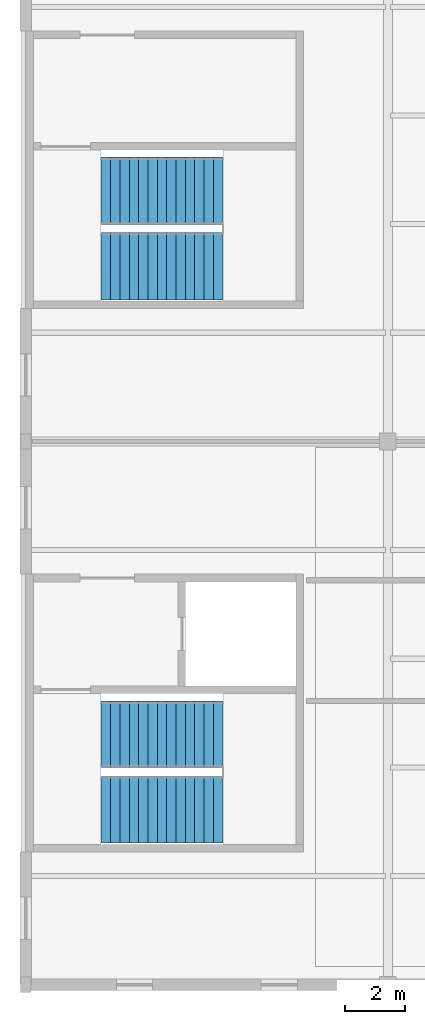
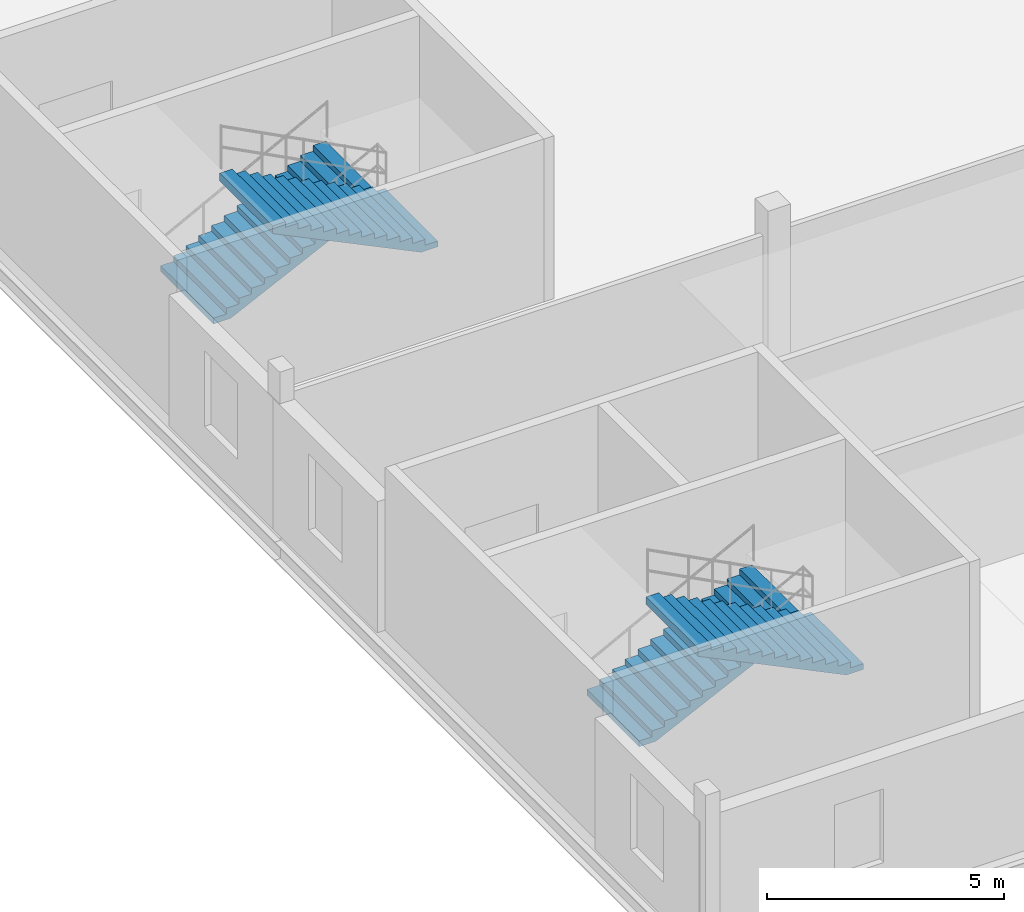
# One storey, part 84 of 86: 4 stair flights, 2 elements without a shape of their own.
"""IFC4 building model written with IfcOpenShell, lengths in metres."""

from ifc_helpers import new_model, si_unit, direction, frame, origin, place, context, subcontext, project, spatial, polyline, outline, extrude, material, type_object, element, aggregate, save


model = new_model("IFC4")

# Units and contexts
model_context = context("Model", 3, precision=1e-05, world=origin(), true_north=direction((0.0, 1.0)))
body_context = subcontext(model_context, "Body", "Model", "MODEL_VIEW")
ifc_project = project(units=[si_unit("LENGTHUNIT", "METRE"), si_unit("AREAUNIT", "SQUARE_METRE"), si_unit("VOLUMEUNIT", "CUBIC_METRE"), si_unit("PLANEANGLEUNIT", "RADIAN"), si_unit("MASSUNIT", "GRAM", prefix="KILO")], contexts=[model_context])

# Site, building, storey
site_placement = place(None, origin())
site = spatial("IfcSite", under=ifc_project, at=site_placement, CompositionType="ELEMENT")
building_placement = place(site_placement, origin())
building = spatial("IfcBuilding", under=site, at=building_placement, Name="Zilviju Railside Exhibition Hall", CompositionType="ELEMENT")
storey_placement = place(building_placement, frame((0.0, 0.0, 12.60009765625)))
storey = spatial("IfcBuildingStorey", under=building, at=storey_placement, Name="L04", CompositionType="ELEMENT", Elevation=12.60009765625)

# Stair, stair flights
ifc_material = material(Name="Concrete C35/45", Category="concrete")
stair_type_1 = type_object("IfcStairType", Name="STAIR-ST-A", PredefinedType="HALF_TURN_STAIR", material=ifc_material)
stair_1_placement = place(storey_placement, origin())
stair_1 = element("IfcStair", 1, at=stair_1_placement, inside=storey, type_object=stair_type_1, Name="Core C16 Organisers Wing North Exit Stair L04", PredefinedType="HALF_TURN_STAIR")
stair_flight_type_1 = type_object("IfcStairFlightType", Name="FLIGHT-ST-A", PredefinedType="STRAIGHT", material=ifc_material)
stair_flight_1_placement = place(storey_placement, frame((2.5, 110.300048828125, 0.0), z_axis=(0.0, 0.0, 1.0), x_axis=(1.0, 0.0, 0.0)))
stair_flight_1 = element("IfcStairFlight", 2, at=stair_flight_1_placement, type_object=stair_flight_type_1, Name="ST-16 flight 1", NumberOfRisers=14, NumberOfTreads=13, PredefinedType="STRAIGHT", RiserHeight=0.15, TreadLength=0.31, context=body_context, shape_type="SweptSolid", body=[
    extrude(outline(polyline([(0.0, 0.0), (0.0, 0.14990234375), (0.31005859375, 0.14990234375), (0.31005859375, 0.300048828125), (0.6201171875, 0.300048828125), (0.6201171875, 0.449951171875), (0.929931640625, 0.449951171875), (0.929931640625, 0.60009765625), (1.239990234375, 0.60009765625), (1.239990234375, 0.75), (1.550048828125, 0.75), (1.550048828125, 0.89990234375), (1.860107421875, 0.89990234375), (1.860107421875, 1.050048828125), (2.169921875, 1.050048828125), (2.169921875, 1.199951171875), (2.47998046875, 1.199951171875), (2.47998046875, 1.35009765625), (2.7900390625, 1.35009765625), (2.7900390625, 1.5), (3.10009765625, 1.5), (3.10009765625, 1.64990234375), (3.409912109375, 1.64990234375), (3.409912109375, 1.800048828125), (3.719970703125, 1.800048828125), (3.719970703125, 1.949951171875), (4.030029296875, 1.949951171875), (4.030029296875, 2.10009765625), (4.030029296875, 1.75), (0.4130859375, 0.0), (0.0, 0.0)])), frame((0.0, 1.1201171875, 0.0), z_axis=(0.0, -1.0, 0.0), x_axis=(1.0, 0.0, 0.0)), (0.0, 0.0, 1.0), 2.239990234375),
])
stair_flight_2_placement = place(storey_placement, frame((6.530029296875, 107.800048828125, 2.099853515625), z_axis=(0.0, 0.0, 1.0), x_axis=(-1.0, 0.0, 0.0)))
stair_flight_2 = element("IfcStairFlight", 3, at=stair_flight_2_placement, type_object=stair_flight_type_1, Name="ST-16 flight 2", NumberOfRisers=14, NumberOfTreads=13, PredefinedType="STRAIGHT", RiserHeight=0.15, TreadLength=0.31, context=body_context, shape_type="SweptSolid", body=[
    extrude(outline(polyline([(0.0, 0.0), (0.0, 0.14990234375), (0.31005859375, 0.14990234375), (0.31005859375, 0.300048828125), (0.6201171875, 0.300048828125), (0.6201171875, 0.449951171875), (0.929931640625, 0.449951171875), (0.929931640625, 0.60009765625), (1.239990234375, 0.60009765625), (1.239990234375, 0.75), (1.550048828125, 0.75), (1.550048828125, 0.89990234375), (1.860107421875, 0.89990234375), (1.860107421875, 1.050048828125), (2.169921875, 1.050048828125), (2.169921875, 1.199951171875), (2.47998046875, 1.199951171875), (2.47998046875, 1.35009765625), (2.7900390625, 1.35009765625), (2.7900390625, 1.5), (3.10009765625, 1.5), (3.10009765625, 1.64990234375), (3.409912109375, 1.64990234375), (3.409912109375, 1.800048828125), (3.719970703125, 1.800048828125), (3.719970703125, 1.949951171875), (4.030029296875, 1.949951171875), (4.030029296875, 2.10009765625), (4.030029296875, 1.75), (0.4130859375, 0.0), (0.0, 0.0)])), frame((0.0, 1.1201171875, 0.0), z_axis=(0.0, -1.0, 0.0), x_axis=(1.0, 0.0, 0.0)), (0.0, 0.0, 1.0), 2.239990234375),
])
aggregate(stair_1, [stair_flight_1, stair_flight_2])

stair_type_2 = type_object("IfcStairType", Name="STAIR-ST-C", PredefinedType="HALF_TURN_STAIR", material=ifc_material)
stair_2_placement = place(storey_placement, origin())
stair_2 = element("IfcStair", 4, at=stair_2_placement, inside=storey, type_object=stair_type_2, Name="Core C15 Organisers Wing South Exit Stair L04", PredefinedType="HALF_TURN_STAIR")
stair_flight_type_2 = type_object("IfcStairFlightType", Name="FLIGHT-ST-C", PredefinedType="STRAIGHT", material=ifc_material)
stair_flight_3_placement = place(storey_placement, frame((2.5, 92.300048828125, 0.0), z_axis=(0.0, 0.0, 1.0), x_axis=(1.0, 0.0, 0.0)))
stair_flight_3 = element("IfcStairFlight", 5, at=stair_flight_3_placement, type_object=stair_flight_type_2, Name="ST-15 flight 1", NumberOfRisers=14, NumberOfTreads=13, PredefinedType="STRAIGHT", RiserHeight=0.15, TreadLength=0.31, context=body_context, shape_type="SweptSolid", body=[
    extrude(outline(polyline([(0.0, 0.0), (0.0, 0.14990234375), (0.31005859375, 0.14990234375), (0.31005859375, 0.300048828125), (0.6201171875, 0.300048828125), (0.6201171875, 0.449951171875), (0.929931640625, 0.449951171875), (0.929931640625, 0.60009765625), (1.239990234375, 0.60009765625), (1.239990234375, 0.75), (1.550048828125, 0.75), (1.550048828125, 0.89990234375), (1.860107421875, 0.89990234375), (1.860107421875, 1.050048828125), (2.169921875, 1.050048828125), (2.169921875, 1.199951171875), (2.47998046875, 1.199951171875), (2.47998046875, 1.35009765625), (2.7900390625, 1.35009765625), (2.7900390625, 1.5), (3.10009765625, 1.5), (3.10009765625, 1.64990234375), (3.409912109375, 1.64990234375), (3.409912109375, 1.800048828125), (3.719970703125, 1.800048828125), (3.719970703125, 1.949951171875), (4.030029296875, 1.949951171875), (4.030029296875, 2.10009765625), (4.030029296875, 1.75), (0.4130859375, 0.0), (0.0, 0.0)])), frame((0.0, 1.10009765625, 0.0), z_axis=(0.0, -1.0, 0.0), x_axis=(1.0, 0.0, 0.0)), (0.0, 0.0, 1.0), 2.199951171875),
])
stair_flight_4_placement = place(storey_placement, frame((6.530029296875, 89.800048828125, 2.099853515625), z_axis=(0.0, 0.0, 1.0), x_axis=(-1.0, 0.0, 0.0)))
stair_flight_4 = element("IfcStairFlight", 6, at=stair_flight_4_placement, type_object=stair_flight_type_2, Name="ST-15 flight 2", NumberOfRisers=14, NumberOfTreads=13, PredefinedType="STRAIGHT", RiserHeight=0.15, TreadLength=0.31, context=body_context, shape_type="SweptSolid", body=[
    extrude(outline(polyline([(0.0, 0.0), (0.0, 0.14990234375), (0.31005859375, 0.14990234375), (0.31005859375, 0.300048828125), (0.6201171875, 0.300048828125), (0.6201171875, 0.449951171875), (0.929931640625, 0.449951171875), (0.929931640625, 0.60009765625), (1.239990234375, 0.60009765625), (1.239990234375, 0.75), (1.550048828125, 0.75), (1.550048828125, 0.89990234375), (1.860107421875, 0.89990234375), (1.860107421875, 1.050048828125), (2.169921875, 1.050048828125), (2.169921875, 1.199951171875), (2.47998046875, 1.199951171875), (2.47998046875, 1.35009765625), (2.7900390625, 1.35009765625), (2.7900390625, 1.5), (3.10009765625, 1.5), (3.10009765625, 1.64990234375), (3.409912109375, 1.64990234375), (3.409912109375, 1.800048828125), (3.719970703125, 1.800048828125), (3.719970703125, 1.949951171875), (4.030029296875, 1.949951171875), (4.030029296875, 2.10009765625), (4.030029296875, 1.75), (0.4130859375, 0.0), (0.0, 0.0)])), frame((0.0, 1.10009765625, 0.0), z_axis=(0.0, -1.0, 0.0), x_axis=(1.0, 0.0, 0.0)), (0.0, 0.0, 1.0), 2.199951171875),
])
aggregate(stair_2, [stair_flight_3, stair_flight_4])

save(model, "model.ifc")
